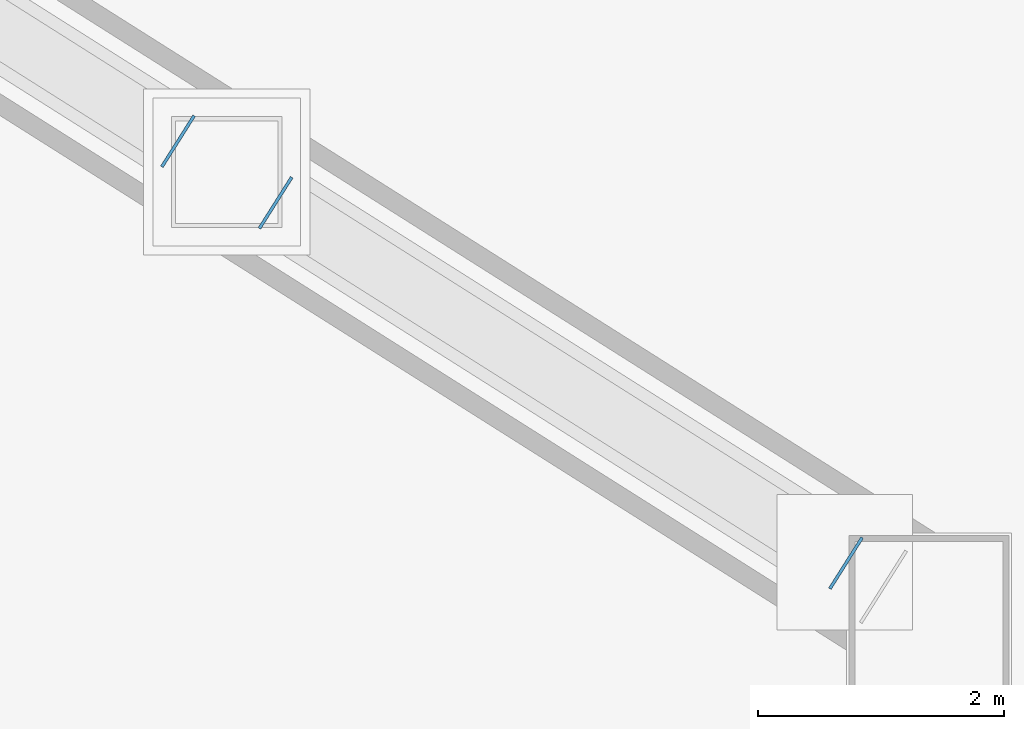
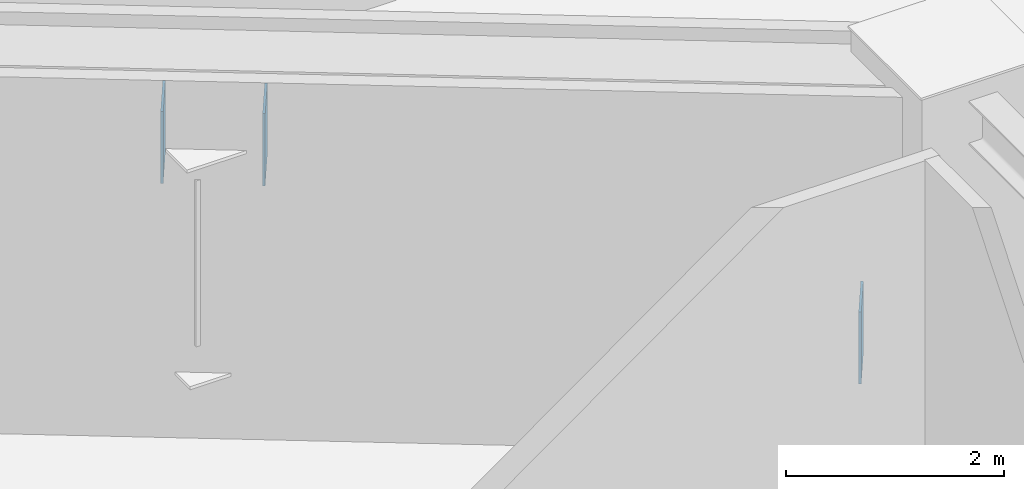
# One storey, part 29 of 39: 3 plates.
"""IFC4 building model written with IfcOpenShell, lengths in metres."""

from ifc_helpers import new_model, si_unit, direction, frame, origin, origin_2d, place, context, subcontext, project, spatial, rectangle, extrude, material, layer, layer_set, type_object, element, save


model = new_model("IFC4")

# Units and contexts
model_context = context("Model", 3, precision=1e-05, world=origin(), true_north=direction((0.0, 1.0)))
body_context = subcontext(model_context, "Body", "Model", "MODEL_VIEW")
ifc_project = project(units=[si_unit("LENGTHUNIT", "METRE"), si_unit("AREAUNIT", "SQUARE_METRE"), si_unit("VOLUMEUNIT", "CUBIC_METRE"), si_unit("PLANEANGLEUNIT", "RADIAN"), si_unit("MASSUNIT", "GRAM", prefix="KILO")], contexts=[model_context])

# Site, building, storey
site_placement = place(None, origin())
site = spatial("IfcSite", under=ifc_project, at=site_placement, CompositionType="ELEMENT")
building_placement = place(site_placement, origin())
building = spatial("IfcBuilding", under=site, at=building_placement, Name="Haolan Belvedere Tower", CompositionType="ELEMENT")
storey_placement = place(building_placement, frame((0.0, 0.0, 19.800048828125)))
storey = spatial("IfcBuildingStorey", under=building, at=storey_placement, Name="L04", CompositionType="ELEMENT", Elevation=19.800048828125)

# Plates
ifc_material = material(Name="Steel Q355B", Category="steel")
ifc_layer = layer(ifc_material, 0.02490234375, Name="Steel Q355B")
ifc_layer_set = layer_set([ifc_layer], Name="Steel Q355B")
plate_type = type_object("IfcPlateType", Name="PL-CAP-25", PredefinedType="SHEET", material=ifc_layer_set)
for number, where, z_axis, x_axis, name in (
    (1, (58.10400390625, 42.25, 2.599365234375), (0.0, 0.0, 1.0), (0.533983483484, 0.845494907948, 0.0), "Hollow steel end-cap plate TT-T4-N-DG1-CAP1"),
    (2, (63.526123046875, 38.82568359375, 0.530517578125), (0.0, 0.0, 1.0), (0.533983483484, 0.845494907948, 0.0), "Hollow steel end-cap plate TT-T4-N-DG2-CAP0"),
    (3, (58.89599609375, 41.75, 2.599365234375), (0.0, 0.0, 1.0), (-0.533983483484, -0.845494907948, 0.0), "Hollow steel end-cap plate TT-T4-N-DG2-CAP1"),
):
    element("IfcPlate", number, at=place(storey_placement, frame(where, z_axis=z_axis, x_axis=x_axis)), inside=storey, type_object=plate_type, Name=name, PredefinedType="SHEET", context=body_context, shape_type="SweptSolid", body=[
        extrude(rectangle(XDim=0.489990234375, YDim=0.02490234375, at=origin_2d()), origin(), (0.0, 0.0, 1.0), 0.81005859375),
    ])

save(model, "model.ifc")
